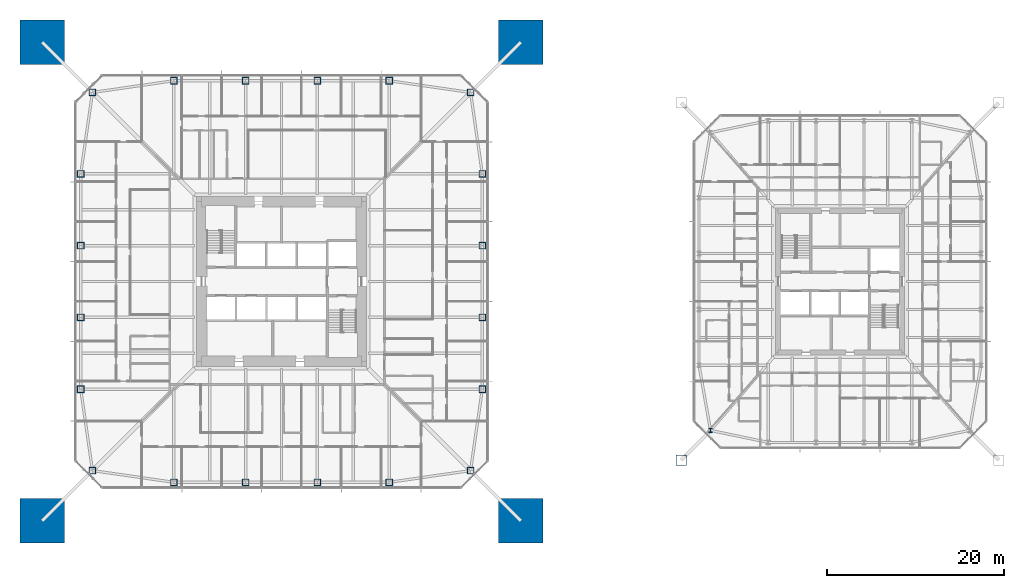
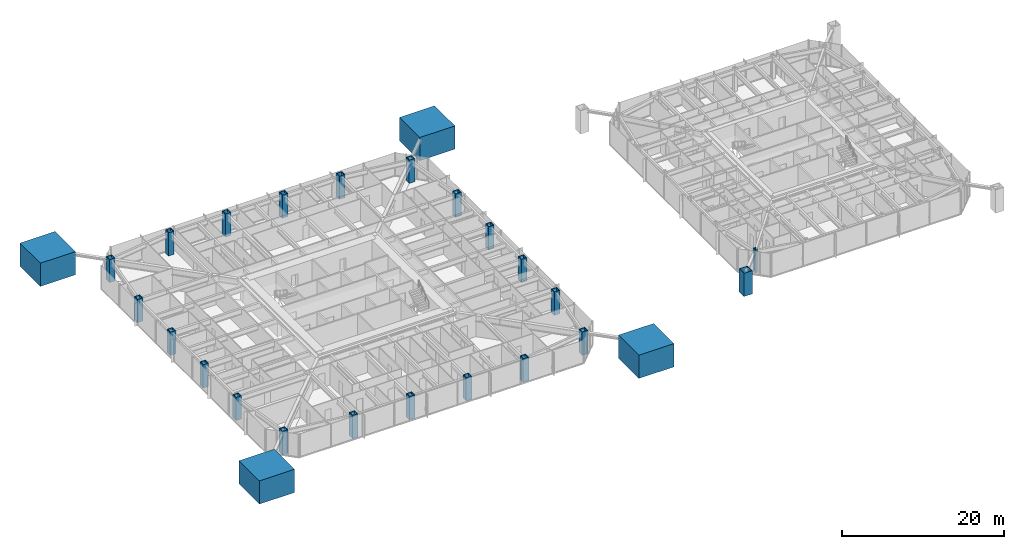
# One storey, part 1 of 26: 26 columns.
"""IFC4 building model written with IfcOpenShell, lengths in metres."""

from ifc_helpers import new_model, si_unit, direction, frame, origin, origin_2d, place, context, subcontext, project, spatial, rectangle, hollow_rectangle, i_section, extrude, material, material_profile, profile_set, type_object, element, save


model = new_model("IFC4")

# Units and contexts
model_context = context("Model", 3, precision=1e-05, world=origin(), true_north=direction((0.0, 1.0)))
body_context = subcontext(model_context, "Body", "Model", "MODEL_VIEW")
ifc_project = project(units=[si_unit("LENGTHUNIT", "METRE"), si_unit("AREAUNIT", "SQUARE_METRE"), si_unit("VOLUMEUNIT", "CUBIC_METRE"), si_unit("PLANEANGLEUNIT", "RADIAN"), si_unit("MASSUNIT", "GRAM", prefix="KILO")], contexts=[model_context])

# Site, building, storey
site_placement = place(None, origin())
site = spatial("IfcSite", under=ifc_project, at=site_placement, CompositionType="ELEMENT")
building_placement = place(site_placement, origin())
building = spatial("IfcBuilding", under=site, at=building_placement, Name="Iwan Alto Co-Living Towers", CompositionType="ELEMENT")
storey_placement = place(building_placement, frame((0.0, 0.0, 50.0)))
storey = spatial("IfcBuildingStorey", under=building, at=storey_placement, Name="L13", CompositionType="ELEMENT", Elevation=50.0)

# Columns
ifc_material_1 = material(Name="Concrete f'c 70 MPa", Category="concrete")
ifc_material_profile_1 = material_profile(ifc_material_1, rectangle(XDim=5.0, YDim=5.0, at=origin_2d()), Name="RC 5000X5000")
ifc_profile_set_1 = profile_set([ifc_material_profile_1], Name="Concrete f'c 70 MPa")
column_type_1 = type_object("IfcColumnType", Name="T1 MEGA COLUMN RC 5000X5000", PredefinedType="COLUMN", material=ifc_profile_set_1)
for number, where, z_axis, x_axis, name in (
    (1, (-27.0, -27.0, 0.0), (0.0, 0.0, 1.0), (1.0, 0.0, 0.0), "T1 mega column SW L13"),
    (2, (27.0, -27.0, 0.0), (0.0, 0.0, 1.0), (1.0, 0.0, 0.0), "T1 mega column SE L13"),
    (3, (27.0, 27.0, 0.0), (0.0, 0.0, 1.0), (1.0, 0.0, 0.0), "T1 mega column NE L13"),
    (4, (-27.0, 27.0, 0.0), (0.0, 0.0, 1.0), (1.0, 0.0, 0.0), "T1 mega column NW L13"),
):
    element("IfcColumn", number, at=place(storey_placement, frame(where, z_axis=z_axis, x_axis=x_axis)), inside=storey, type_object=column_type_1, Name=name, PredefinedType="COLUMN", context=body_context, shape_type="SweptSolid", body=[
        extrude(rectangle(XDim=5.0, YDim=5.0, at=origin_2d()), origin(), (0.0, 0.0, 1.0), 3.5),
        extrude(i_section(OverallWidth=0.4775390625, OverallDepth=0.599365234375, WebThickness=0.10009765625, FlangeThickness=0.139892578125, at=origin_2d()), origin(), (0.0, 0.0, 1.0), 3.5),
    ])
ifc_material_2 = material(Name="Steel ASTM A572 Gr 50", Category="steel")
ifc_material_profile_2 = material_profile(ifc_material_2, hollow_rectangle(XDim=0.800048828125, YDim=0.800048828125, WallThickness=0.090087890625, at=origin_2d()), Name="BOX 800X800X90")
ifc_profile_set_2 = profile_set([ifc_material_profile_2], Name="Steel ASTM A572 Gr 50")
column_type_2 = type_object("IfcColumnType", Name="T1 RING COLUMN BOX 800X800X90", PredefinedType="COLUMN", material=ifc_profile_set_2)
for number, where, z_axis, x_axis, name in (
    (5, (-21.32568359375, -21.32568359375, 0.0), (0.0, 0.0, 1.0), (1.0, 0.0, 0.0), "T1 ring column CSW L13"),
    (6, (-12.14990234375, -22.64990234375, 0.0), (0.0, 0.0, 1.0), (1.0, 0.0, 0.0), "T1 ring column S1 L13"),
    (7, (-4.050048828125, -22.64990234375, 0.0), (0.0, 0.0, 1.0), (1.0, 0.0, 0.0), "T1 ring column S2 L13"),
    (8, (4.050048828125, -22.64990234375, 0.0), (0.0, 0.0, 1.0), (1.0, 0.0, 0.0), "T1 ring column S3 L13"),
    (9, (12.14990234375, -22.64990234375, 0.0), (0.0, 0.0, 1.0), (1.0, 0.0, 0.0), "T1 ring column S4 L13"),
    (10, (21.32568359375, -21.32568359375, 0.0), (0.0, 0.0, 1.0), (1.0, 0.0, 0.0), "T1 ring column CSE L13"),
    (11, (22.64990234375, -12.14990234375, 0.0), (0.0, 0.0, 1.0), (1.0, 0.0, 0.0), "T1 ring column E1 L13"),
    (12, (22.64990234375, -4.050048828125, 0.0), (0.0, 0.0, 1.0), (1.0, 0.0, 0.0), "T1 ring column E2 L13"),
    (13, (22.64990234375, 4.050048828125, 0.0), (0.0, 0.0, 1.0), (1.0, 0.0, 0.0), "T1 ring column E3 L13"),
    (14, (22.64990234375, 12.14990234375, 0.0), (0.0, 0.0, 1.0), (1.0, 0.0, 0.0), "T1 ring column E4 L13"),
    (15, (21.32568359375, 21.32568359375, 0.0), (0.0, 0.0, 1.0), (1.0, 0.0, 0.0), "T1 ring column CNE L13"),
    (16, (12.14990234375, 22.64990234375, 0.0), (0.0, 0.0, 1.0), (1.0, 0.0, 0.0), "T1 ring column N1 L13"),
    (17, (4.050048828125, 22.64990234375, 0.0), (0.0, 0.0, 1.0), (1.0, 0.0, 0.0), "T1 ring column N2 L13"),
    (18, (-4.050048828125, 22.64990234375, 0.0), (0.0, 0.0, 1.0), (1.0, 0.0, 0.0), "T1 ring column N3 L13"),
    (19, (-12.14990234375, 22.64990234375, 0.0), (0.0, 0.0, 1.0), (1.0, 0.0, 0.0), "T1 ring column N4 L13"),
    (20, (-21.32568359375, 21.32568359375, 0.0), (0.0, 0.0, 1.0), (1.0, 0.0, 0.0), "T1 ring column CNW L13"),
    (21, (-22.64990234375, 12.14990234375, 0.0), (0.0, 0.0, 1.0), (1.0, 0.0, 0.0), "T1 ring column W1 L13"),
    (22, (-22.64990234375, 4.050048828125, 0.0), (0.0, 0.0, 1.0), (1.0, 0.0, 0.0), "T1 ring column W2 L13"),
    (23, (-22.64990234375, -4.050048828125, 0.0), (0.0, 0.0, 1.0), (1.0, 0.0, 0.0), "T1 ring column W3 L13"),
    (24, (-22.64990234375, -12.14990234375, 0.0), (0.0, 0.0, 1.0), (1.0, 0.0, 0.0), "T1 ring column W4 L13"),
):
    element("IfcColumn", number, at=place(storey_placement, frame(where, z_axis=z_axis, x_axis=x_axis)), inside=storey, type_object=column_type_2, Name=name, PredefinedType="COLUMN", context=body_context, shape_type="SweptSolid", body=[
        extrude(hollow_rectangle(XDim=0.800048828125, YDim=0.800048828125, WallThickness=0.090087890625, at=origin_2d()), origin(), (0.0, 0.0, 1.0), 3.5),
    ])
ifc_material_3 = material(Name="Steel ASTM A572 Gr 50", Category="steel")
ifc_material_profile_3 = material_profile(ifc_material_3, hollow_rectangle(XDim=1.199951171875, YDim=1.199951171875, WallThickness=0.070068359375, at=origin_2d()), Name="BOX 1200X1200X70")
ifc_profile_set_3 = profile_set([ifc_material_profile_3], Name="Steel ASTM A572 Gr 50")
column_type_3 = type_object("IfcColumnType", Name="T2 MEGA COLUMN BOX 1200X1200X70", PredefinedType="COLUMN", material=ifc_profile_set_3)
column_1_placement = place(storey_placement, frame((45.10009765625, -20.14990234375, 0.0), z_axis=(0.0, 0.0, 1.0), x_axis=(1.0, 0.0, 0.0)))
element("IfcColumn", 25, at=column_1_placement, inside=storey, type_object=column_type_3, Name="T2 mega column SW L13", PredefinedType="COLUMN", context=body_context, shape_type="SweptSolid", body=[
    extrude(hollow_rectangle(XDim=1.199951171875, YDim=1.199951171875, WallThickness=0.070068359375, at=origin_2d()), origin(), (0.0, 0.0, 1.0), 3.5),
])
ifc_material_4 = material(Name="Steel ASTM A992 Gr 50", Category="steel")
ifc_material_profile_4 = material_profile(ifc_material_4, i_section(OverallWidth=0.424072265625, OverallDepth=0.47509765625, WebThickness=0.0478515625, FlangeThickness=0.0771484375, at=origin_2d()), Name="W14X426")
ifc_profile_set_4 = profile_set([ifc_material_profile_4], Name="Steel ASTM A992 Gr 50")
column_type_4 = type_object("IfcColumnType", Name="T2 RING COLUMN W14X426", PredefinedType="COLUMN", material=ifc_profile_set_4)
column_2_placement = place(storey_placement, frame((48.393798828125, -16.797119140625, 0.0), z_axis=(0.0, 0.0, 1.0), x_axis=(1.0, 0.0, 0.0)))
element("IfcColumn", 26, at=column_2_placement, inside=storey, type_object=column_type_4, Name="T2 ring column CSW L13", PredefinedType="COLUMN", context=body_context, shape_type="SweptSolid", body=[
    extrude(i_section(OverallWidth=0.424072265625, OverallDepth=0.47509765625, WebThickness=0.0478515625, FlangeThickness=0.0771484375, at=origin_2d()), origin(), (0.0, 0.0, 1.0), 3.5),
])

save(model, "model.ifc")
